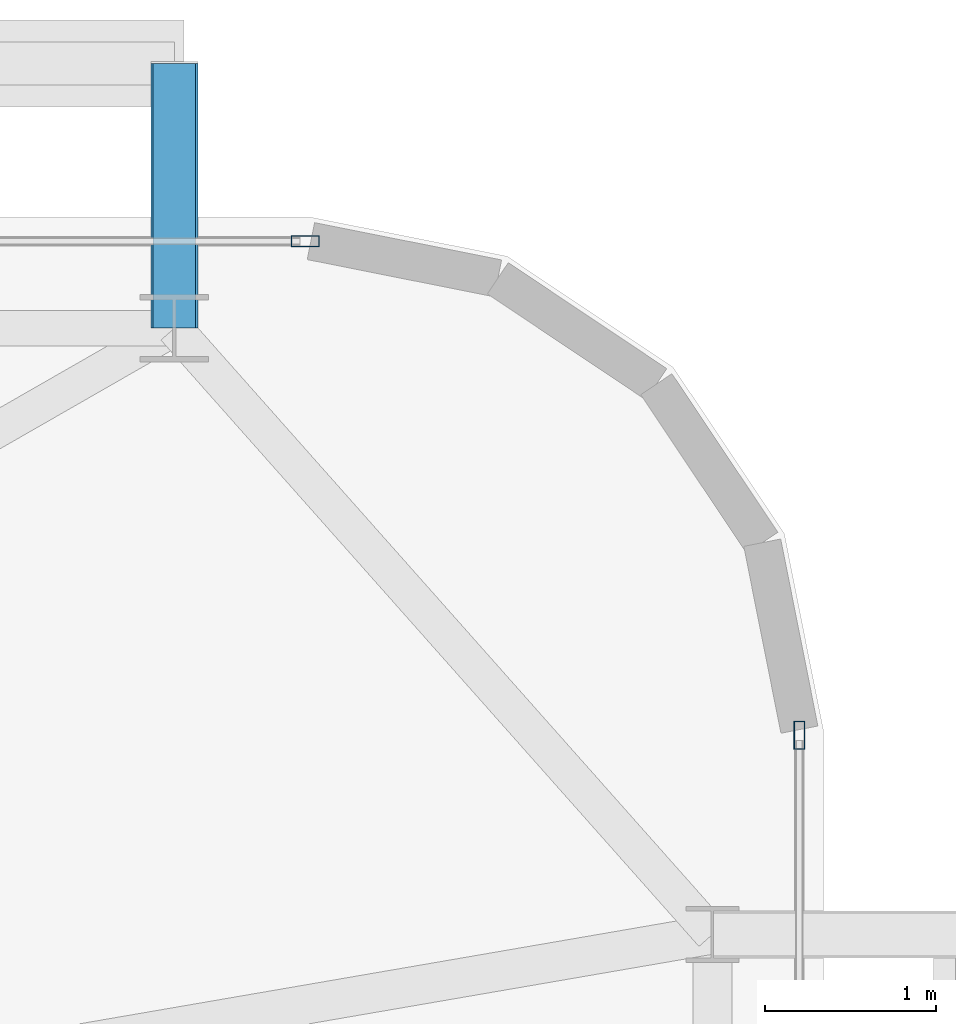
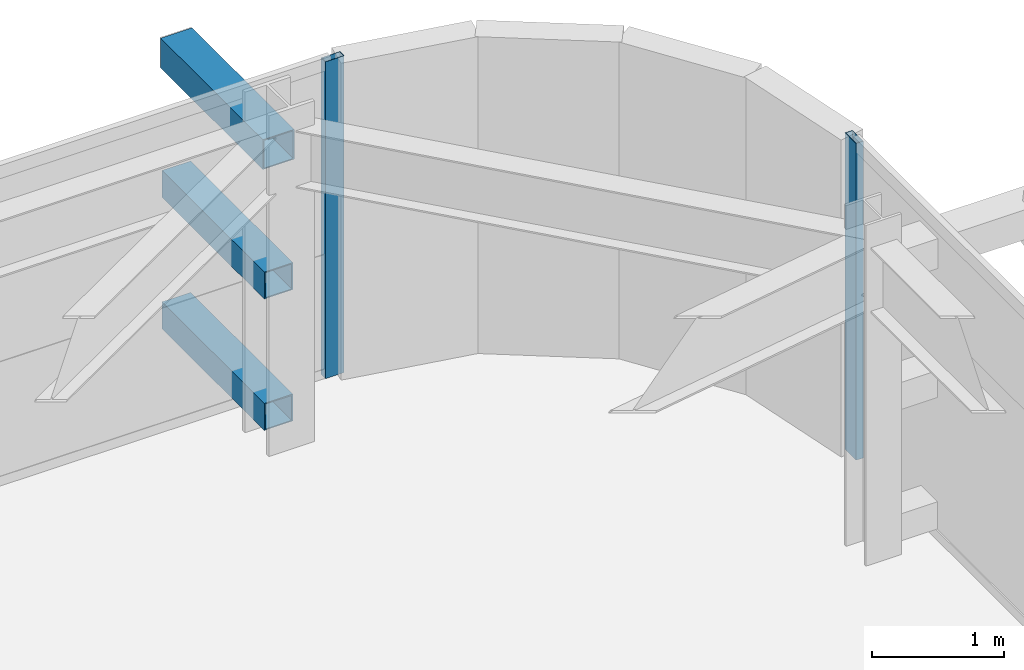
# One storey, part 28 of 44: 5 members, 2 elements without a shape of their own.
"""IFC4 building model written with IfcOpenShell, lengths in metres."""

import ifcopenshell
import ifcopenshell.guid

model = None  # the IFC model being written
_history = None  # IfcOwnerHistory: only IFC2X3 demands one
_inside = {}  # id of a spatial element -> (the spatial element, [elements in it])
_under = {}  # id of a project, library or spatial element -> (it, [spatial elements below it])
_declared = {}  # id of a project -> (the project, [libraries it declares])
_typed = {}  # id of a type object -> (the type object, [elements of that type])
_made_of = {}  # id of a material, layer set ... -> (it, [elements and type objects made of it])


def new_model(schema):
    """Start an empty IFC model of exactly this schema.

    Asked for "IFC4X3", IfcOpenShell would pick the latest addendum, in which some entities
    have other attributes; the version numbers below select the first issue.
    IFC2X3 requires an IfcOwnerHistory on every rooted entity: one is made here for all.
    """
    global model, _history
    if schema == "IFC4X3":
        model = ifcopenshell.file(schema_version=(4, 3, 0, 0))
    else:
        model = ifcopenshell.file(schema=schema)
    _inside.clear()
    _under.clear()
    _declared.clear()
    _typed.clear()
    _made_of.clear()
    _history = None
    if model.schema == "IFC2X3":
        org = make("IfcOrganization", Name="unknown")
        user = make(
            "IfcPersonAndOrganization",
            ThePerson=make("IfcPerson", FamilyName="unknown"),
            TheOrganization=org,
        )
        app = make(
            "IfcApplication",
            ApplicationDeveloper=org,
            Version="unknown",
            ApplicationFullName="unknown",
            ApplicationIdentifier="unknown",
        )
        _history = make(
            "IfcOwnerHistory",
            OwningUser=user,
            OwningApplication=app,
            ChangeAction="ADDED",
            CreationDate=0,
        )
    return model


def make(cls, **values):
    """One entity of the class cls with the attributes given. An attribute that is None is left unset."""
    return model.create_entity(
        cls, **{name: value for name, value in values.items() if value is not None}
    )


def rooted(cls, **values):
    """An entity with a GlobalId (a new one), such as an element, a storey or a relation."""
    return make(cls, GlobalId=ifcopenshell.guid.new(), OwnerHistory=_history, **values)


def si_unit(unit_type, name, prefix=None):
    """IfcSIUnit, for example si_unit("LENGTHUNIT", "METRE", prefix="MILLI")."""
    return make("IfcSIUnit", UnitType=unit_type, Prefix=prefix, Name=name)


def assignment(units):
    """IfcUnitAssignment: the units of a project."""
    return None if units is None else make("IfcUnitAssignment", Units=units)


def point(xyz):
    """IfcCartesianPoint."""
    return None if xyz is None else make("IfcCartesianPoint", Coordinates=xyz)


def direction(xyz):
    """IfcDirection."""
    return None if xyz is None else make("IfcDirection", DirectionRatios=xyz)


def frame(location, z_axis=None, x_axis=None):
    """IfcAxis2Placement3D, a coordinate frame: its origin and axes. An axis left out is left unset."""
    return make(
        "IfcAxis2Placement3D",
        Location=point(location),
        Axis=direction(z_axis),
        RefDirection=direction(x_axis),
    )


def frame_2d(location, x_axis=None):
    """IfcAxis2Placement2D, a coordinate frame in the plane: its origin and x axis."""
    return make(
        "IfcAxis2Placement2D", Location=point(location), RefDirection=direction(x_axis)
    )


def origin():
    """The frame at (0, 0, 0) with its axes left unset."""
    return frame((0.0, 0.0, 0.0))


def origin_2d():
    """The frame at (0, 0) in the plane with its x axis left unset."""
    return frame_2d((0.0, 0.0))


def place(relative_to, where):
    """IfcLocalPlacement: puts the frame where relative to a parent placement (None: the world)."""
    return make(
        "IfcLocalPlacement", PlacementRelTo=relative_to, RelativePlacement=where
    )


def context(
    kind, dimensions, precision=None, world=None, true_north=None, identifier=None
):
    """IfcGeometricRepresentationContext, for example the 3D "Model" context."""
    return make(
        "IfcGeometricRepresentationContext",
        ContextIdentifier=identifier,
        ContextType=kind,
        CoordinateSpaceDimension=dimensions,
        Precision=precision,
        WorldCoordinateSystem=world,
        TrueNorth=true_north,
    )


def subcontext(parent, identifier, kind, view, scale=None):
    """IfcGeometricRepresentationSubContext, for example "Body" below "Model"."""
    return make(
        "IfcGeometricRepresentationSubContext",
        ContextIdentifier=identifier,
        ContextType=kind,
        ParentContext=parent,
        TargetScale=scale,
        TargetView=view,
    )


def project(units=None, contexts=None):
    """IfcProject with its units and contexts."""
    return rooted(
        "IfcProject",
        Name="project",
        RepresentationContexts=contexts,
        UnitsInContext=assignment(units),
    )


def spatial(cls, under=None, at=None, **own):
    """A site, building, storey or space (cls), placed at a placement, below another one or the project."""
    s = rooted(cls, ObjectPlacement=at, **own)
    if under is not None:
        _under.setdefault(under.id(), (under, []))[1].append(s)
    return s


def profile(cls, at=None, kind="AREA", **sizes):
    """A parametric profile (cls). Its sizes go by their IFC names, for example OverallWidth=200.0."""
    return make(cls, ProfileType=kind, Position=at, **sizes)


def hollow_rectangle(**sizes):
    """IfcRectangleHollowProfileDef."""
    return profile("IfcRectangleHollowProfileDef", **sizes)


def extrude(swept, where, along, depth):
    """IfcExtrudedAreaSolid: the profile swept, set in the frame where, extruded along a direction by depth."""
    return make(
        "IfcExtrudedAreaSolid",
        SweptArea=swept,
        Position=where,
        ExtrudedDirection=direction(along),
        Depth=depth,
    )


def shape(context_of_items, identifier, shape_type, items):
    """IfcShapeRepresentation: the items that make up one representation, for example the "Body"."""
    return make(
        "IfcShapeRepresentation",
        ContextOfItems=context_of_items,
        RepresentationIdentifier=identifier,
        RepresentationType=shape_type,
        Items=items,
    )


def source(mapping_origin, context_of_items, identifier, shape_type, items):
    """IfcRepresentationMap: a shape defined once, which mapped items show again and again."""
    return make(
        "IfcRepresentationMap",
        MappingOrigin=mapping_origin,
        MappedRepresentation=shape(context_of_items, identifier, shape_type, items),
    )


def transform(
    local_origin,
    x_axis=None,
    y_axis=None,
    z_axis=None,
    scale=None,
    scale2=None,
    scale3=None,
    uniform=True,
):
    """IfcCartesianTransformationOperator3D, or its non-uniform kind. x_axis, y_axis, z_axis: its Axis1, 2, 3."""
    if uniform:
        return make(
            "IfcCartesianTransformationOperator3D",
            Axis1=direction(x_axis),
            Axis2=direction(y_axis),
            LocalOrigin=point(local_origin),
            Scale=scale,
            Axis3=direction(z_axis),
        )
    return make(
        "IfcCartesianTransformationOperator3DnonUniform",
        Axis1=direction(x_axis),
        Axis2=direction(y_axis),
        LocalOrigin=point(local_origin),
        Scale=scale,
        Axis3=direction(z_axis),
        Scale2=scale2,
        Scale3=scale3,
    )


def mapped(mapping_source, mapping_target):
    """IfcMappedItem: shows the shape of a source again, moved by a transform."""
    return make(
        "IfcMappedItem", MappingSource=mapping_source, MappingTarget=mapping_target
    )


def material(Name=None, Category=None):
    """IfcMaterial."""
    return make("IfcMaterial", Name=Name, Category=Category)


def layer(
    of_material, thickness, ventilated=None, Name=None, Category=None, Priority=None
):
    """IfcMaterialLayer: one layer of a wall or slab, of a material (None: an air gap)."""
    return make(
        "IfcMaterialLayer",
        Material=of_material,
        LayerThickness=thickness,
        IsVentilated=ventilated,
        Name=Name,
        Category=Category,
        Priority=Priority,
    )


def layer_set(layers, Name=None):
    """IfcMaterialLayerSet."""
    return make("IfcMaterialLayerSet", MaterialLayers=layers, LayerSetName=Name)


def material_profile(
    of_material, cross_section, Name=None, Category=None, Priority=None
):
    """IfcMaterialProfile: a cross section and its material."""
    return make(
        "IfcMaterialProfile",
        Name=Name,
        Material=of_material,
        Profile=cross_section,
        Priority=Priority,
        Category=Category,
    )


def profile_set(profiles, Name=None, composite=None):
    """IfcMaterialProfileSet."""
    return make(
        "IfcMaterialProfileSet",
        Name=Name,
        MaterialProfiles=profiles,
        CompositeProfile=composite,
    )


def made_of(thing, what):
    """Note that an element or type object is made of a material, layer set ...; save() writes the relation."""
    if what is not None:
        _made_of.setdefault(what.id(), (what, []))[1].append(thing)
    return thing


def type_object(cls, material=None, **own):
    """A type object (cls), such as IfcWallType, which elements share."""
    return made_of(rooted(cls, **own), material)


def element(
    cls,
    number,
    at=None,
    inside=None,
    cuts=None,
    type_object=None,
    material=None,
    context=None,
    identifier="Body",
    shape_type=None,
    held_by="IfcProductDefinitionShape",
    body=None,
    shapes=None,
    **own,
):
    """One element of the class cls, such as IfcWall. Its Tag is "e" and its number.

    at: its placement. inside: the storey or other place that contains it. cuts: it is an
    opening in that element (IfcRelVoidsElement). A single representation is given by context,
    identifier, shape_type and body (its items); several are given by shapes. held_by: the class
    of the entity that holds the representations. save() writes the other relations.
    """
    e = rooted(cls, Tag="e%d" % number, ObjectPlacement=at, **own)
    if body is not None:
        shapes = [shape(context, identifier, shape_type, body)]
    if shapes is not None:
        e.Representation = make(held_by, Representations=shapes)
    if inside is not None:
        _inside.setdefault(inside.id(), (inside, []))[1].append(e)
    if cuts is not None:
        rooted(
            "IfcRelVoidsElement", RelatingBuildingElement=cuts, RelatedOpeningElement=e
        )
    if type_object is not None:
        _typed.setdefault(type_object.id(), (type_object, []))[1].append(e)
    return made_of(e, material)


def aggregate(whole, parts):
    """IfcRelAggregates: a whole, such as a stair, and the parts it consists of."""
    return rooted("IfcRelAggregates", RelatingObject=whole, RelatedObjects=parts)


def save(model, path):
    """Write the relations noted so far, then the file.

    IfcRelAggregates (storeys below a building ...), IfcRelContainedInSpatialStructure (elements
    in a storey), IfcRelDefinesByType, IfcRelAssociatesMaterial and IfcRelDeclares: one each for
    every whole, place, type object, material and project.
    """
    for whole, parts in _under.values():
        aggregate(whole, parts)
    for where, things in _inside.values():
        rooted(
            "IfcRelContainedInSpatialStructure",
            RelatedElements=things,
            RelatingStructure=where,
        )
    for kind, things in _typed.values():
        rooted("IfcRelDefinesByType", RelatedObjects=things, RelatingType=kind)
    for what, things in _made_of.values():
        rooted("IfcRelAssociatesMaterial", RelatedObjects=things, RelatingMaterial=what)
    for by, libraries in _declared.values():
        rooted("IfcRelDeclares", RelatingContext=by, RelatedDefinitions=libraries)
    model.write(path)


model = new_model("IFC4")

# Units and contexts
model_context = context("Model", 3, precision=1e-05, world=origin(), true_north=direction((0.0, 1.0)))
body_context = subcontext(model_context, "Body", "Model", "MODEL_VIEW")
ifc_project = project(units=[si_unit("LENGTHUNIT", "METRE"), si_unit("AREAUNIT", "SQUARE_METRE"), si_unit("VOLUMEUNIT", "CUBIC_METRE"), si_unit("PLANEANGLEUNIT", "RADIAN"), si_unit("MASSUNIT", "GRAM", prefix="KILO")], contexts=[model_context])

# Site, building, storey
site_placement = place(None, origin())
site = spatial("IfcSite", under=ifc_project, at=site_placement, CompositionType="ELEMENT")
building_placement = place(site_placement, origin())
building = spatial("IfcBuilding", under=site, at=building_placement, Name="Taldren Reach Tower", CompositionType="ELEMENT")
storey_placement = place(building_placement, frame((0.0, 0.0, 38.85009765625)))
storey = spatial("IfcBuildingStorey", under=building, at=storey_placement, Name="L11", CompositionType="ELEMENT", Elevation=38.85009765625)

# Members
ifc_material_1 = material(Name="Steel Gr 450 (C450L0)", Category="steel")
ifc_material_profile_1 = material_profile(ifc_material_1, hollow_rectangle(XDim=0.27490234375, YDim=0.27490234375, WallThickness=0.00927734375, at=origin_2d()), Name="275x275x9.3SHS")
ifc_profile_set_1 = profile_set([ifc_material_profile_1], Name="Steel Gr 450 (C450L0)")
member_type_1 = type_object("IfcMemberType", Name="MB-TIE273", PredefinedType="STRUT", material=ifc_profile_set_1)
shared_shape_1 = source(origin(), body_context, "Body", "SweptSolid", [
    extrude(hollow_rectangle(XDim=0.27490234375, YDim=0.27490234375, WallThickness=0.00927734375, at=origin_2d()), origin(), (0.0, 0.0, 1.0), 1.5498046875),
])
member_1_placement = place(storey_placement, frame((61.199951171875, 37.85009765625, 2.64990234375), z_axis=(0.0, 1.0, 0.0), x_axis=(-1.0, 0.0, 0.0)))
element("IfcMember", 1, at=member_1_placement, inside=storey, type_object=member_type_1, Name="Exoskeleton diaphragm tie strut B1-N6 L11", PredefinedType="STRUT", context=body_context, shape_type="MappedRepresentation", body=[
    mapped(shared_shape_1, transform((0.0, 0.0, 0.0), scale=1.0)),
])
ifc_material_2 = material(Name="Steel Gr 350 (C350L0)", Category="steel")
ifc_material_profile_2 = material_profile(ifc_material_2, hollow_rectangle(XDim=0.25, YDim=0.25, WallThickness=0.010009765625, at=origin_2d()), Name="250x250x10.0SHS")
ifc_profile_set_2 = profile_set([ifc_material_profile_2], Name="Steel Gr 350 (C350L0)")
member_type_2 = type_object("IfcMemberType", Name="MB-POST250", PredefinedType="POST", material=ifc_profile_set_2)
shared_shape_2 = source(origin(), body_context, "Body", "SweptSolid", [
    extrude(hollow_rectangle(XDim=0.25, YDim=0.25, WallThickness=0.010009765625, at=origin_2d()), origin(), (0.0, 0.0, 1.0), 1.5498046875),
])
for number, where, z_axis, x_axis, name in (
    (2, (61.199951171875, 37.85009765625, 0.219970703125), (0.0, 1.0, 0.0), (-1.0, 0.0, 0.0), "Exoskeleton base diaphragm tie strut B1-N6 L11"),
    (3, (61.199951171875, 37.85009765625, 1.434814453125), (0.0, 1.0, 0.0), (-1.0, 0.0, 0.0), "Exoskeleton mid-tier diaphragm tie B1-N6 L11"),
):
    element("IfcMember", number, at=place(storey_placement, frame(where, z_axis=z_axis, x_axis=x_axis)), inside=storey, type_object=member_type_2, Name=name, PredefinedType="POST", context=body_context, shape_type="MappedRepresentation", body=[
        mapped(shared_shape_2, transform((0.0, 0.0, 0.0), scale=1.0)),
    ])

# Curtain wall, member
ifc_material_3 = material(Name="Aluminium and Low-E Glass Unitised System", Category="aluminium")
ifc_layer = layer(ifc_material_3, 0.159912109375)
ifc_layer_set = layer_set([ifc_layer], Name="Aluminium and Low-E Glass Unitised System")
curtain_wall_type = type_object("IfcCurtainWallType", Name="CW-SYS-2", PredefinedType="NOTDEFINED", material=ifc_layer_set)
curtain_wall_1_placement = place(storey_placement, origin())
curtain_wall_1 = element("IfcCurtainWall", 4, at=curtain_wall_1_placement, inside=storey, type_object=curtain_wall_type, Name="Unitised curtain wall CW-L11-N", PredefinedType="NOTDEFINED")
ifc_material_4 = material(Name="Anodised Aluminium 6063-T6", Category="aluminium")
ifc_material_profile_3 = material_profile(ifc_material_4, hollow_rectangle(XDim=0.06494140625, YDim=0.1650390625, WallThickness=0.00390625, at=origin_2d()), Name="ALU-165x65x4RHS")
ifc_profile_set_3 = profile_set([ifc_material_profile_3], Name="Anodised Aluminium 6063-T6")
member_type_3 = type_object("IfcMemberType", Name="CW-MUL-165", PredefinedType="MULLION", material=ifc_profile_set_3)
shared_shape_3 = source(origin(), body_context, "Body", "SweptSolid", [
    extrude(hollow_rectangle(XDim=0.06494140625, YDim=0.1650390625, WallThickness=0.00390625, at=origin_2d()), origin(), (0.0, 0.0, 1.0), 2.929931640625),
])
member_2_placement = place(storey_placement, frame((61.967529296875, 38.360107421875, 0.0), z_axis=(0.0, 0.0, 1.0), x_axis=(0.0, -1.0, 0.0)))
member_2 = element("IfcMember", 5, at=member_2_placement, type_object=member_type_3, Name="CW-2 mullion 1", PredefinedType="MULLION", context=body_context, shape_type="MappedRepresentation", body=[
    mapped(shared_shape_3, transform((0.0, 0.0, 0.0), scale=1.0)),
])
aggregate(curtain_wall_1, [member_2])

curtain_wall_2_placement = place(storey_placement, origin())
curtain_wall_2 = element("IfcCurtainWall", 6, at=curtain_wall_2_placement, inside=storey, type_object=curtain_wall_type, Name="Unitised curtain wall CW-L11-E", PredefinedType="NOTDEFINED")
member_3_placement = place(storey_placement, frame((64.860107421875, 35.467529296875, 0.0), z_axis=(0.0, 0.0, 1.0), x_axis=(-1.0, 0.0, 0.0)))
member_3 = element("IfcMember", 7, at=member_3_placement, type_object=member_type_3, Name="CW-2 mullion 4", PredefinedType="MULLION", context=body_context, shape_type="MappedRepresentation", body=[
    mapped(shared_shape_3, transform((0.0, 0.0, 0.0), scale=1.0)),
])
aggregate(curtain_wall_2, [member_3])

save(model, "model.ifc")
